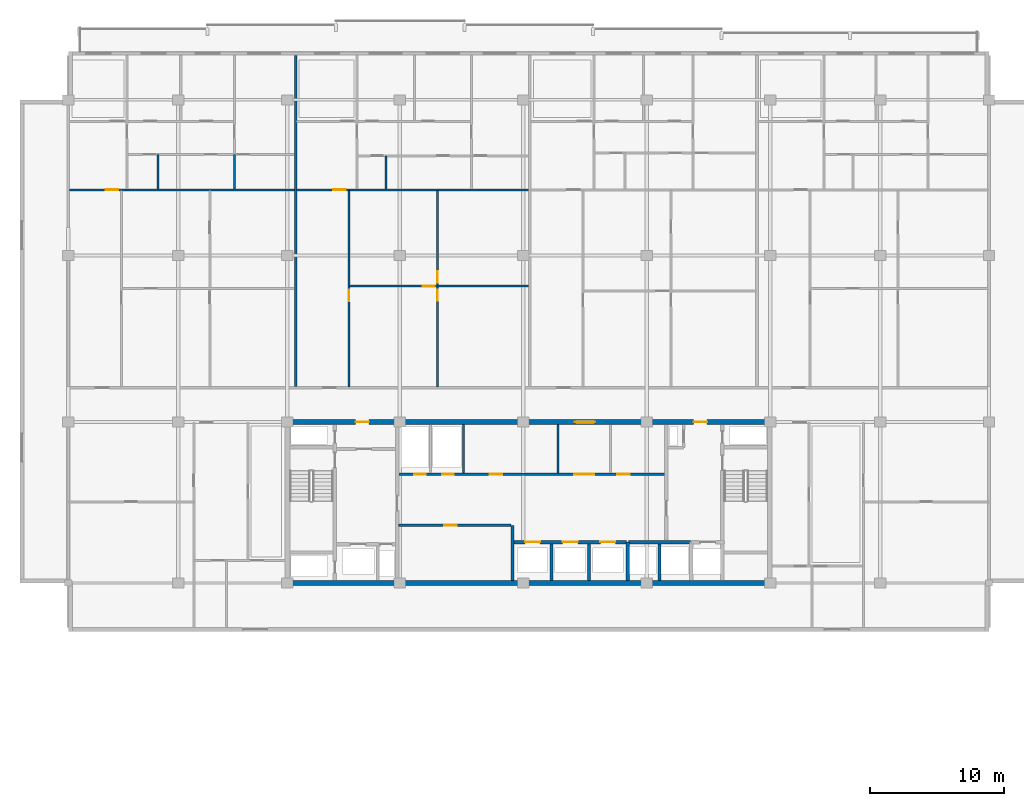
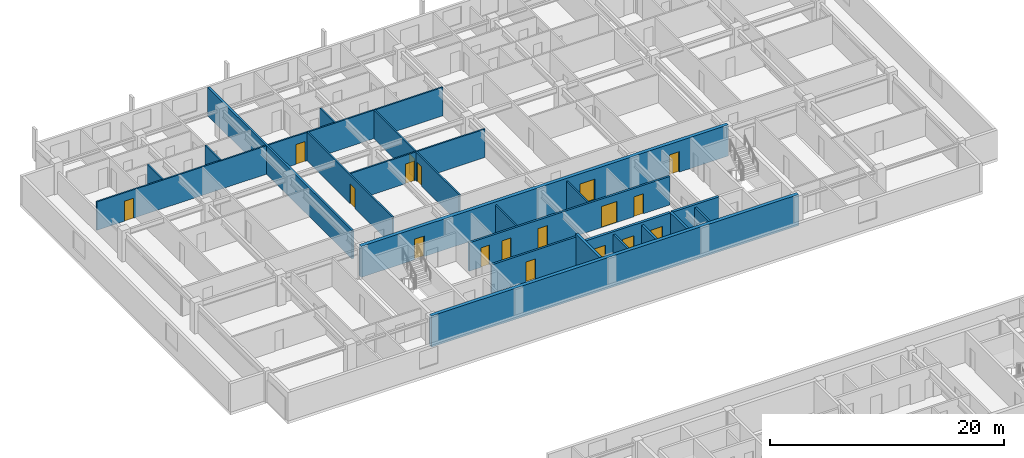
# One storey, part 12 of 24: 22 walls, 18 doors, 18 openings.
"""IFC4 building model written with IfcOpenShell, lengths in metres."""

from ifc_helpers import new_model, si_unit, direction, frame, frame_2d, origin, place, context, subcontext, project, spatial, rectangle, extrude, material, layer, layer_set, type_object, element, fill, save


model = new_model("IFC4")

# Units and contexts
model_context = context("Model", 3, precision=1e-05, world=origin(), true_north=direction((0.0, 1.0)))
body_context = subcontext(model_context, "Body", "Model", "MODEL_VIEW")
ifc_project = project(units=[si_unit("LENGTHUNIT", "METRE"), si_unit("AREAUNIT", "SQUARE_METRE"), si_unit("VOLUMEUNIT", "CUBIC_METRE"), si_unit("PLANEANGLEUNIT", "RADIAN"), si_unit("MASSUNIT", "GRAM", prefix="KILO")], contexts=[model_context])

# Site, building, storey
site_placement = place(None, origin())
site = spatial("IfcSite", under=ifc_project, at=site_placement, CompositionType="ELEMENT")
building_placement = place(site_placement, origin())
building = spatial("IfcBuilding", under=site, at=building_placement, Name="Korimba Cascade Residences", CompositionType="ELEMENT")
storey_placement = place(building_placement, frame((0.0, 0.0, 168.60009765625)))
storey = spatial("IfcBuildingStorey", under=building, at=storey_placement, Name="L48", CompositionType="ELEMENT", Elevation=168.60009765625)

# Wall
ifc_material_1 = material(Name="Concrete C65/80", Category="concrete")
ifc_layer_1 = layer(ifc_material_1, 0.35009765625)
ifc_layer_set_1 = layer_set([ifc_layer_1], Name="Concrete C65/80")
wall_type_1 = type_object("IfcWallType", Name="WAL-CORE-350", PredefinedType="SHEAR", material=ifc_layer_set_1)
wall_1_placement = place(storey_placement, frame((75.949951171875, 55.199951171875, 0.0), z_axis=(0.0, 0.0, 1.0), x_axis=(1.0, 0.0, 0.0)))
element("IfcWall", 1, at=wall_1_placement, inside=storey, type_object=wall_type_1, Name="L48 Core Shear Wall CW-L48-T1-S", PredefinedType="SHEAR", context=body_context, shape_type="SweptSolid", body=[
    extrude(rectangle(XDim=36.300048828125, YDim=0.35009765625, at=frame_2d((18.14990234375, 0.0))), origin(), (0.0, 0.0, 1.0), 3.25),
])

# Wall, openings, doors
wall_2_placement = place(storey_placement, frame((75.949951171875, 67.199951171875, 0.0), z_axis=(0.0, 0.0, 1.0), x_axis=(1.0, 0.0, 0.0)))
wall_2 = element("IfcWall", 2, at=wall_2_placement, inside=storey, type_object=wall_type_1, Name="L48 Core Shear Wall CW-L48-T1-N", PredefinedType="SHEAR", context=body_context, shape_type="SweptSolid", body=[
    extrude(rectangle(XDim=36.300048828125, YDim=0.35009765625, at=frame_2d((18.14990234375, 0.0))), origin(), (0.0, 0.0, 1.0), 3.25),
])
opening_1_placement = place(wall_2_placement, frame((5.25, 0.0, 0.0)))
opening_1 = element("IfcOpeningElement", 3, at=opening_1_placement, cuts=wall_2, Name="Opening D-FD5", PredefinedType="OPENING", context=body_context, shape_type="SweptSolid", body=[
    extrude(rectangle(XDim=1.0, YDim=2.14990234375, at=frame_2d((0.5, 1.074951171875))), frame((0.0, 0.18505859375, 0.0), z_axis=(0.0, -1.0, 0.0), x_axis=(1.0, 0.0, 0.0)), (0.0, 0.0, 1.0), 0.3701171875),
])
opening_2_placement = place(wall_2_placement, frame((21.60009765625, 0.0, 0.0)))
opening_2 = element("IfcOpeningElement", 4, at=opening_2_placement, cuts=wall_2, Name="Opening D-FD8", PredefinedType="OPENING", context=body_context, shape_type="SweptSolid", body=[
    extrude(rectangle(XDim=1.5, YDim=2.199951171875, at=frame_2d((0.75, 1.10009765625))), frame((0.0, 0.18505859375, 0.0), z_axis=(0.0, -1.0, 0.0), x_axis=(1.0, 0.0, 0.0)), (0.0, 0.0, 1.0), 0.3701171875),
])
opening_3_placement = place(wall_2_placement, frame((30.449951171875, 0.0, 0.0)))
opening_3 = element("IfcOpeningElement", 5, at=opening_3_placement, cuts=wall_2, Name="Opening D-FD5", PredefinedType="OPENING", context=body_context, shape_type="SweptSolid", body=[
    extrude(rectangle(XDim=1.0, YDim=2.14990234375, at=frame_2d((0.5, 1.074951171875))), frame((0.0, 0.18505859375, 0.0), z_axis=(0.0, -1.0, 0.0), x_axis=(1.0, 0.0, 0.0)), (0.0, 0.0, 1.0), 0.3701171875),
])
ifc_material_2 = material(Name="Fire-Rated Acoustic Timber Vestibule Door", Category="wood")
door_type_1 = type_object("IfcDoorType", Name="DR-FD90-1000", OperationType="NOTDEFINED", PredefinedType="DOOR", material=ifc_material_2)
door_1_placement = place(opening_1_placement, origin())
door_1 = element("IfcDoor", 6, at=door_1_placement, inside=storey, type_object=door_type_1, Name="L48 T1 West Core Vestibule Fire Door", OperationType="SINGLE_SWING_LEFT", OverallHeight=2.14990234375, OverallWidth=1.0, PredefinedType="DOOR", context=body_context, shape_type="SweptSolid", body=[
    extrude(rectangle(XDim=1.0, YDim=2.14990234375, at=frame_2d((0.5, 1.074951171875))), frame((0.0, 0.02490234375, 0.0), z_axis=(0.0, -1.0, 0.0), x_axis=(1.0, 0.0, 0.0)), (0.0, 0.0, 1.0), 0.050048828125),
])
fill(opening_1, door_1)
door_2_placement = place(opening_3_placement, origin())
door_2 = element("IfcDoor", 7, at=door_2_placement, inside=storey, type_object=door_type_1, Name="L48 T1 East Firefighting Vestibule Fire Door", OperationType="SINGLE_SWING_RIGHT", OverallHeight=2.14990234375, OverallWidth=1.0, PredefinedType="DOOR", context=body_context, shape_type="SweptSolid", body=[
    extrude(rectangle(XDim=1.0, YDim=2.14990234375, at=frame_2d((0.5, 1.074951171875))), frame((0.0, 0.02490234375, 0.0), z_axis=(0.0, -1.0, 0.0), x_axis=(1.0, 0.0, 0.0)), (0.0, 0.0, 1.0), 0.050048828125),
])
fill(opening_3, door_2)
ifc_material_3 = material(Name="Fire-Rated Glazed Lift Lobby Double Door", Category="glass")
door_type_2 = type_object("IfcDoorType", Name="DR-FD90-1500", OperationType="NOTDEFINED", PredefinedType="DOOR", material=ifc_material_3)
door_3_placement = place(opening_2_placement, origin())
door_3 = element("IfcDoor", 8, at=door_3_placement, inside=storey, type_object=door_type_2, Name="L48 T1 Lift Lobby Fire Door", OperationType="DOUBLE_DOOR_SINGLE_SWING", OverallHeight=2.199951171875, OverallWidth=1.5, PredefinedType="DOOR", context=body_context, shape_type="SweptSolid", body=[
    extrude(rectangle(XDim=1.5, YDim=2.199951171875, at=frame_2d((0.75, 1.10009765625))), frame((0.0, 0.02490234375, 0.0), z_axis=(0.0, -1.0, 0.0), x_axis=(1.0, 0.0, 0.0)), (0.0, 0.0, 1.0), 0.050048828125),
])
fill(opening_2, door_3)

# Walls
ifc_material_4 = material(Name="Precast concrete C40/50", Category="concrete")
ifc_layer_2 = layer(ifc_material_4, 0.199951171875)
ifc_layer_set_2 = layer_set([ifc_layer_2], Name="Precast concrete C40/50")
wall_type_2 = type_object("IfcWallType", Name="WAL-IT-200", PredefinedType="PARTITIONING", material=ifc_layer_set_2)
wall_3_placement = place(storey_placement, frame((76.735107421875, 69.830078125, 0.0), z_axis=(0.0, 0.0, 1.0), x_axis=(0.0, 1.0, 0.0)))
element("IfcWall", 9, at=wall_3_placement, inside=storey, type_object=wall_type_2, Name="L48 Partition Wall WAL-L48-T1-DEM-1", PredefinedType="PARTITIONING", context=body_context, shape_type="SweptSolid", body=[
    extrude(rectangle(XDim=24.669921875, YDim=0.199951171875, at=frame_2d((12.3349609375, 0.0))), origin(), (0.0, 0.0, 1.0), 2.969970703125),
])
ifc_material_5 = material(Name="Insulated Acoustic Stud Partition", Category="gypsum")
ifc_layer_3 = layer(ifc_material_5, 0.14990234375)
ifc_layer_set_3 = layer_set([ifc_layer_3], Name="Insulated Acoustic Stud Partition")
wall_type_3 = type_object("IfcWallType", Name="WAL-PART-150", PredefinedType="PARTITIONING", material=ifc_layer_set_3)
for number, where, z_axis, x_axis, name in (
    (10, (89.25, 63.39990234375, 0.0), (0.0, 0.0, 1.0), (0.0, 1.0, 0.0), "L48 Partition Wall CW-L48-T1-PRDIV"),
    (11, (96.300048828125, 63.39990234375, 0.0), (0.0, 0.0, 1.0), (0.0, 1.0, 0.0), "L48 Partition Wall CW-L48-T1-THW"),
):
    element("IfcWall", number, at=place(storey_placement, frame(where, z_axis=z_axis, x_axis=x_axis)), inside=storey, type_object=wall_type_3, Name=name, PredefinedType="PARTITIONING", context=body_context, shape_type="SweptSolid", body=[
        extrude(rectangle(XDim=3.60009765625, YDim=0.14990234375, at=frame_2d((1.800048828125, 0.0))), origin(), (0.0, 0.0, 1.0), 2.969970703125),
    ])
for number, where, z_axis, x_axis, name in (
    (12, (66.47998046875, 84.5400390625, 0.0), (0.0, 0.0, 1.0), (0.0, 1.0, 0.0), "L48 Partition Wall WAL-L48-T1-U01-VDRS"),
    (13, (72.18505859375, 84.5400390625, 0.0), (0.0, 0.0, 1.0), (0.0, 1.0, 0.0), "L48 Partition Wall WAL-L48-T1-U01-VBATH"),
):
    element("IfcWall", number, at=place(storey_placement, frame(where, z_axis=z_axis, x_axis=x_axis)), inside=storey, type_object=wall_type_3, Name=name, PredefinedType="PARTITIONING", context=body_context, shape_type="SweptSolid", body=[
        extrude(rectangle(XDim=2.580078125, YDim=0.14990234375, at=frame_2d((1.2900390625, 0.0))), origin(), (0.0, 0.0, 1.0), 2.969970703125),
    ])

# Wall, opening, door
wall_4_placement = place(storey_placement, frame((59.8798828125, 84.5, 0.0), z_axis=(0.0, 0.0, 1.0), x_axis=(1.0, 0.0, 0.0)))
wall_4 = element("IfcWall", 14, at=wall_4_placement, inside=storey, type_object=wall_type_3, Name="L48 Partition Wall WAL-L48-T1-U01-MW", PredefinedType="PARTITIONING", context=body_context, shape_type="SweptSolid", body=[
    extrude(rectangle(XDim=16.775146484375, YDim=0.14990234375, at=frame_2d((8.3876953125, 0.0))), origin(), (0.0, 0.0, 1.0), 2.969970703125),
])
opening_4_placement = place(wall_4_placement, frame((2.719970703125, 0.0, 0.0)))
opening_4 = element("IfcOpeningElement", 15, at=opening_4_placement, cuts=wall_4, Name="Opening D-IN1", PredefinedType="OPENING", context=body_context, shape_type="SweptSolid", body=[
    extrude(rectangle(XDim=0.919921875, YDim=2.080078125, at=frame_2d((0.4599609375, 1.0400390625))), frame((0.0, 0.0849609375, 0.0), z_axis=(0.0, -1.0, 0.0), x_axis=(1.0, 0.0, 0.0)), (0.0, 0.0, 1.0), 0.169921875),
])
ifc_material_6 = material(Name="Acoustic Timber Living Door", Category="wood")
door_type_3 = type_object("IfcDoorType", Name="DR-INT-920", OperationType="NOTDEFINED", PredefinedType="DOOR", material=ifc_material_6)
door_4_placement = place(opening_4_placement, origin())
door_4 = element("IfcDoor", 16, at=door_4_placement, inside=storey, type_object=door_type_3, Name="L48-T1-U01 Kitchen Door", OperationType="SINGLE_SWING_LEFT", OverallHeight=2.080078125, OverallWidth=0.919921875, PredefinedType="DOOR", context=body_context, shape_type="SweptSolid", body=[
    extrude(rectangle(XDim=0.919921875, YDim=2.080078125, at=frame_2d((0.4599609375, 1.0400390625))), frame((0.0, 0.02490234375, 0.0), z_axis=(0.0, -1.0, 0.0), x_axis=(1.0, 0.0, 0.0)), (0.0, 0.0, 1.0), 0.050048828125),
])
fill(opening_4, door_4)

# Wall, openings, doors
wall_5_placement = place(storey_placement, frame((87.31005859375, 69.81005859375, 0.0), z_axis=(0.0, 0.0, 1.0), x_axis=(0.0, 1.0, 0.0)))
wall_5 = element("IfcWall", 17, at=wall_5_placement, inside=storey, type_object=wall_type_3, Name="L48 Partition Wall WAL-L48-T1-U02-FMV", PredefinedType="PARTITIONING", context=body_context, shape_type="SweptSolid", body=[
    extrude(rectangle(XDim=14.64990234375, YDim=0.14990234375, at=frame_2d((7.324951171875, 0.0))), origin(), (0.0, 0.0, 1.0), 2.969970703125),
])
opening_5_placement = place(wall_5_placement, frame((6.4150390625, 0.0, 0.0)))
opening_5 = element("IfcOpeningElement", 18, at=opening_5_placement, cuts=wall_5, Name="Opening D-BT1", PredefinedType="OPENING", context=body_context, shape_type="SweptSolid", body=[
    extrude(rectangle(XDim=0.840087890625, YDim=2.0400390625, at=frame_2d((0.419921875, 1.02001953125))), frame((0.0, 0.0849609375, 0.0), z_axis=(0.0, -1.0, 0.0), x_axis=(1.0, 0.0, 0.0)), (0.0, 0.0, 1.0), 0.169921875),
])
opening_6_placement = place(wall_5_placement, frame((7.7548828125, 0.0, 0.0)))
opening_6 = element("IfcOpeningElement", 19, at=opening_6_placement, cuts=wall_5, Name="Opening D-IN2", PredefinedType="OPENING", context=body_context, shape_type="SweptSolid", body=[
    extrude(rectangle(XDim=0.8798828125, YDim=2.06005859375, at=frame_2d((0.43994140625, 1.030029296875))), frame((0.0, 0.0849609375, 0.0), z_axis=(0.0, -1.0, 0.0), x_axis=(1.0, 0.0, 0.0)), (0.0, 0.0, 1.0), 0.169921875),
])
ifc_material_7 = material(Name="Moisture-Resistant Bathroom Timber Door", Category="wood")
door_type_4 = type_object("IfcDoorType", Name="DR-INT-850", OperationType="NOTDEFINED", PredefinedType="DOOR", material=ifc_material_7)
door_5_placement = place(opening_5_placement, origin())
door_5 = element("IfcDoor", 20, at=door_5_placement, inside=storey, type_object=door_type_4, Name="L48-T1-U02 Wardrobe Door", OperationType="SINGLE_SWING_LEFT", OverallHeight=2.0400390625, OverallWidth=0.840087890625, PredefinedType="DOOR", context=body_context, shape_type="SweptSolid", body=[
    extrude(rectangle(XDim=0.840087890625, YDim=2.0400390625, at=frame_2d((0.419921875, 1.02001953125))), frame((0.0, 0.02490234375, 0.0), z_axis=(0.0, -1.0, 0.0), x_axis=(1.0, 0.0, 0.0)), (0.0, 0.0, 1.0), 0.050048828125),
])
fill(opening_5, door_5)
ifc_material_8 = material(Name="Acoustic Timber Bedroom Door", Category="wood")
door_type_5 = type_object("IfcDoorType", Name="DR-INT-880", OperationType="NOTDEFINED", PredefinedType="DOOR", material=ifc_material_8)
door_6_placement = place(opening_6_placement, origin())
door_6 = element("IfcDoor", 21, at=door_6_placement, inside=storey, type_object=door_type_5, Name="L48-T1-U02 Music Lounge Door", OperationType="SINGLE_SWING_RIGHT", OverallHeight=2.06005859375, OverallWidth=0.8798828125, PredefinedType="DOOR", context=body_context, shape_type="SweptSolid", body=[
    extrude(rectangle(XDim=0.8798828125, YDim=2.06005859375, at=frame_2d((0.43994140625, 1.030029296875))), frame((0.0, 0.02490234375, 0.0), z_axis=(0.0, -1.0, 0.0), x_axis=(1.0, 0.0, 0.0)), (0.0, 0.0, 1.0), 0.050048828125),
])
fill(opening_6, door_6)

# Wall, opening, door
wall_6_placement = place(storey_placement, frame((80.76513671875, 77.31494140625, 0.0), z_axis=(0.0, 0.0, 1.0), x_axis=(1.0, 0.0, 0.0)))
wall_6 = element("IfcWall", 22, at=wall_6_placement, inside=storey, type_object=wall_type_3, Name="L48 Partition Wall WAL-L48-T1-U02-FMH", PredefinedType="PARTITIONING", context=body_context, shape_type="SweptSolid", body=[
    extrude(rectangle(XDim=13.329833984375, YDim=0.14990234375, at=frame_2d((6.6650390625, 0.0))), origin(), (0.0, 0.0, 1.0), 2.969970703125),
])
opening_7_placement = place(wall_6_placement, frame((5.445068359375, 0.0, 0.0)))
opening_7 = element("IfcOpeningElement", 23, at=opening_7_placement, cuts=wall_6, Name="Opening D-IN2", PredefinedType="OPENING", context=body_context, shape_type="SweptSolid", body=[
    extrude(rectangle(XDim=0.8798828125, YDim=2.06005859375, at=frame_2d((0.43994140625, 1.030029296875))), frame((0.0, 0.0849609375, 0.0), z_axis=(0.0, -1.0, 0.0), x_axis=(1.0, 0.0, 0.0)), (0.0, 0.0, 1.0), 0.169921875),
])
door_7_placement = place(opening_7_placement, origin())
door_7 = element("IfcDoor", 24, at=door_7_placement, inside=storey, type_object=door_type_5, Name="L48-T1-U02 Library Salon Door", OperationType="SINGLE_SWING_LEFT", OverallHeight=2.06005859375, OverallWidth=0.8798828125, PredefinedType="DOOR", context=body_context, shape_type="SweptSolid", body=[
    extrude(rectangle(XDim=0.8798828125, YDim=2.06005859375, at=frame_2d((0.43994140625, 1.030029296875))), frame((0.0, 0.02490234375, 0.0), z_axis=(0.0, -1.0, 0.0), x_axis=(1.0, 0.0, 0.0)), (0.0, 0.0, 1.0), 0.050048828125),
])
fill(opening_7, door_7)

wall_7_placement = place(storey_placement, frame((80.705078125, 69.81005859375, 0.0), z_axis=(0.0, 0.0, 1.0), x_axis=(0.0, 1.0, 0.0)))
wall_7 = element("IfcWall", 25, at=wall_7_placement, inside=storey, type_object=wall_type_3, Name="L48 Partition Wall WAL-L48-T1-U02-FV", PredefinedType="PARTITIONING", context=body_context, shape_type="SweptSolid", body=[
    extrude(rectangle(XDim=14.64990234375, YDim=0.14990234375, at=frame_2d((7.324951171875, 0.0))), origin(), (0.0, 0.0, 1.0), 2.969970703125),
])
opening_8_placement = place(wall_7_placement, frame((6.375, 0.0, 0.0)))
opening_8 = element("IfcOpeningElement", 26, at=opening_8_placement, cuts=wall_7, Name="Opening D-IN2", PredefinedType="OPENING", context=body_context, shape_type="SweptSolid", body=[
    extrude(rectangle(XDim=0.8798828125, YDim=2.06005859375, at=frame_2d((0.43994140625, 1.030029296875))), frame((0.0, 0.0849609375, 0.0), z_axis=(0.0, -1.0, 0.0), x_axis=(1.0, 0.0, 0.0)), (0.0, 0.0, 1.0), 0.169921875),
])
door_8_placement = place(opening_8_placement, origin())
door_8 = element("IfcDoor", 27, at=door_8_placement, inside=storey, type_object=door_type_5, Name="L48-T1-U02 Media Lounge Door", OperationType="SINGLE_SWING_RIGHT", OverallHeight=2.06005859375, OverallWidth=0.8798828125, PredefinedType="DOOR", context=body_context, shape_type="SweptSolid", body=[
    extrude(rectangle(XDim=0.8798828125, YDim=2.06005859375, at=frame_2d((0.43994140625, 1.030029296875))), frame((0.0, 0.02490234375, 0.0), z_axis=(0.0, -1.0, 0.0), x_axis=(1.0, 0.0, 0.0)), (0.0, 0.0, 1.0), 0.050048828125),
])
fill(opening_8, door_8)

# Wall
wall_8_placement = place(storey_placement, frame((83.465087890625, 84.5400390625, 0.0), z_axis=(0.0, 0.0, 1.0), x_axis=(0.0, 1.0, 0.0)))
element("IfcWall", 28, at=wall_8_placement, inside=storey, type_object=wall_type_3, Name="L48 Partition Wall WAL-L48-T1-U02-VDRS", PredefinedType="PARTITIONING", context=body_context, shape_type="SweptSolid", body=[
    extrude(rectangle(XDim=2.469970703125, YDim=0.14990234375, at=frame_2d((1.23486328125, 0.0))), origin(), (0.0, 0.0, 1.0), 2.969970703125),
])

# Wall, opening, door
wall_9_placement = place(storey_placement, frame((76.815185546875, 84.5, 0.0), z_axis=(0.0, 0.0, 1.0), x_axis=(1.0, 0.0, 0.0)))
wall_9 = element("IfcWall", 29, at=wall_9_placement, inside=storey, type_object=wall_type_3, Name="L48 Partition Wall WAL-L48-T1-U02-MW", PredefinedType="PARTITIONING", context=body_context, shape_type="SweptSolid", body=[
    extrude(rectangle(XDim=17.27978515625, YDim=0.14990234375, at=frame_2d((8.639892578125, 0.0))), origin(), (0.0, 0.0, 1.0), 2.969970703125),
])
opening_9_placement = place(wall_9_placement, frame((2.719970703125, 0.0, 0.0)))
opening_9 = element("IfcOpeningElement", 30, at=opening_9_placement, cuts=wall_9, Name="Opening D-IN1", PredefinedType="OPENING", context=body_context, shape_type="SweptSolid", body=[
    extrude(rectangle(XDim=0.919921875, YDim=2.080078125, at=frame_2d((0.4599609375, 1.0400390625))), frame((0.0, 0.0849609375, 0.0), z_axis=(0.0, -1.0, 0.0), x_axis=(1.0, 0.0, 0.0)), (0.0, 0.0, 1.0), 0.169921875),
])
door_9_placement = place(opening_9_placement, origin())
door_9 = element("IfcDoor", 31, at=door_9_placement, inside=storey, type_object=door_type_3, Name="L48-T1-U02 Kitchen Door", OperationType="SINGLE_SWING_RIGHT", OverallHeight=2.080078125, OverallWidth=0.919921875, PredefinedType="DOOR", context=body_context, shape_type="SweptSolid", body=[
    extrude(rectangle(XDim=0.919921875, YDim=2.080078125, at=frame_2d((0.4599609375, 1.0400390625))), frame((0.0, 0.02490234375, 0.0), z_axis=(0.0, -1.0, 0.0), x_axis=(1.0, 0.0, 0.0)), (0.0, 0.0, 1.0), 0.050048828125),
])
fill(opening_9, door_9)

ifc_material_9 = material(Name="Concrete C40/50", Category="concrete")
ifc_layer_4 = layer(ifc_material_9, 0.199951171875)
ifc_layer_set_4 = layer_set([ifc_layer_4], Name="Concrete C40/50")
wall_type_4 = type_object("IfcWallType", Name="WAL-PART-200", PredefinedType="PARTITIONING", material=ifc_layer_set_4)
wall_10_placement = place(storey_placement, frame((84.419921875, 59.5, 0.0), z_axis=(0.0, 0.0, 1.0), x_axis=(1.0, 0.0, 0.0)))
wall_10 = element("IfcWall", 32, at=wall_10_placement, inside=storey, type_object=wall_type_4, Name="L48 Partition Wall CW-L48-T1-B1RN", PredefinedType="PARTITIONING", context=body_context, shape_type="SweptSolid", body=[
    extrude(rectangle(XDim=8.360107421875, YDim=0.199951171875, at=frame_2d((4.18017578125, 0.0))), origin(), (0.0, 0.0, 1.0), 2.969970703125),
])
opening_10_placement = place(wall_10_placement, frame((3.39990234375, 0.0, 0.0)))
opening_10 = element("IfcOpeningElement", 33, at=opening_10_placement, cuts=wall_10, Name="Opening D-ST1", PredefinedType="OPENING", context=body_context, shape_type="SweptSolid", body=[
    extrude(rectangle(XDim=0.919921875, YDim=2.080078125, at=frame_2d((0.4599609375, 1.0400390625))), frame((0.0, 0.10986328125, 0.0), z_axis=(0.0, -1.0, 0.0), x_axis=(1.0, 0.0, 0.0)), (0.0, 0.0, 1.0), 0.219970703125),
])
ifc_material_10 = material(Name="Fire-Rated Core Store Door", Category="wood")
door_type_6 = type_object("IfcDoorType", Name="DR-FD60-920", OperationType="NOTDEFINED", PredefinedType="DOOR", material=ifc_material_10)
door_10_placement = place(opening_10_placement, origin())
door_10 = element("IfcDoor", 34, at=door_10_placement, inside=storey, type_object=door_type_6, Name="L48 Resident Storage Door", OperationType="SINGLE_SWING_LEFT", OverallHeight=2.080078125, OverallWidth=0.919921875, PredefinedType="DOOR", context=body_context, shape_type="SweptSolid", body=[
    extrude(rectangle(XDim=0.919921875, YDim=2.080078125, at=frame_2d((0.4599609375, 1.0400390625))), frame((0.0, 0.02490234375, 0.0), z_axis=(0.0, -1.0, 0.0), x_axis=(1.0, 0.0, 0.0)), (0.0, 0.0, 1.0), 0.050048828125),
])
fill(opening_10, door_10)

# Walls
for number, where, z_axis, x_axis, name in (
    (35, (95.800048828125, 55.39990234375, 0.0), (0.0, 0.0, 1.0), (0.0, 1.0, 0.0), "L48 Partition Wall CW-L48-T1-B2D1"),
    (36, (98.60009765625, 55.39990234375, 0.0), (0.0, 0.0, 1.0), (0.0, 1.0, 0.0), "L48 Partition Wall CW-L48-T1-B2D2"),
    (37, (103.85009765625, 55.39990234375, 0.0), (0.0, 0.0, 1.0), (0.0, 1.0, 0.0), "L48 Partition Wall CW-L48-T1-B3D1"),
):
    element("IfcWall", number, at=place(storey_placement, frame(where, z_axis=z_axis, x_axis=x_axis)), inside=storey, type_object=wall_type_4, Name=name, PredefinedType="PARTITIONING", context=body_context, shape_type="SweptSolid", body=[
        extrude(rectangle(XDim=2.72021484375, YDim=0.199951171875, at=frame_2d((1.360107421875, 0.0))), origin(), (0.0, 0.0, 1.0), 2.969970703125),
    ])

# Wall, openings, doors
wall_11_placement = place(storey_placement, frame((84.419921875, 63.300048828125, 0.0), z_axis=(0.0, 0.0, 1.0), x_axis=(1.0, 0.0, 0.0)))
wall_11 = element("IfcWall", 38, at=wall_11_placement, inside=storey, type_object=wall_type_4, Name="L48 Partition Wall CW-L48-T1-SRVROW", PredefinedType="PARTITIONING", context=body_context, shape_type="SweptSolid", body=[
    extrude(rectangle(XDim=19.830078125, YDim=0.199951171875, at=frame_2d((9.9150390625, 0.0))), origin(), (0.0, 0.0, 1.0), 2.969970703125),
])
opening_11_placement = place(wall_11_placement, frame((1.14990234375, 0.0, 0.0)))
opening_11 = element("IfcOpeningElement", 39, at=opening_11_placement, cuts=wall_11, Name="Opening D-RS1", PredefinedType="OPENING", context=body_context, shape_type="SweptSolid", body=[
    extrude(rectangle(XDim=0.85009765625, YDim=2.050048828125, at=frame_2d((0.425048828125, 1.02490234375))), frame((0.0, 0.10986328125, 0.0), z_axis=(0.0, -1.0, 0.0), x_axis=(1.0, 0.0, 0.0)), (0.0, 0.0, 1.0), 0.219970703125),
])
opening_12_placement = place(wall_11_placement, frame((3.25, 0.0, 0.0)))
opening_12 = element("IfcOpeningElement", 40, at=opening_12_placement, cuts=wall_11, Name="Opening D-RS1", PredefinedType="OPENING", context=body_context, shape_type="SweptSolid", body=[
    extrude(rectangle(XDim=0.85009765625, YDim=2.050048828125, at=frame_2d((0.425048828125, 1.02490234375))), frame((0.0, 0.10986328125, 0.0), z_axis=(0.0, -1.0, 0.0), x_axis=(1.0, 0.0, 0.0)), (0.0, 0.0, 1.0), 0.219970703125),
])
opening_13_placement = place(wall_11_placement, frame((13.080078125, 0.0, 0.0)))
opening_13 = element("IfcOpeningElement", 41, at=opening_13_placement, cuts=wall_11, Name="Opening D-FD8", PredefinedType="OPENING", context=body_context, shape_type="SweptSolid", body=[
    extrude(rectangle(XDim=1.5, YDim=2.199951171875, at=frame_2d((0.75, 1.10009765625))), frame((0.0, 0.10986328125, 0.0), z_axis=(0.0, -1.0, 0.0), x_axis=(1.0, 0.0, 0.0)), (0.0, 0.0, 1.0), 0.219970703125),
])
opening_14_placement = place(wall_11_placement, frame((6.780029296875, 0.0, 0.0)))
opening_14 = element("IfcOpeningElement", 42, at=opening_14_placement, cuts=wall_11, Name="Opening D-IN1", PredefinedType="OPENING", context=body_context, shape_type="SweptSolid", body=[
    extrude(rectangle(XDim=0.919921875, YDim=2.080078125, at=frame_2d((0.4599609375, 1.0400390625))), frame((0.0, 0.10986328125, 0.0), z_axis=(0.0, -1.0, 0.0), x_axis=(1.0, 0.0, 0.0)), (0.0, 0.0, 1.0), 0.219970703125),
])
opening_15_placement = place(wall_11_placement, frame((16.280029296875, 0.0, 0.0)))
opening_15 = element("IfcOpeningElement", 43, at=opening_15_placement, cuts=wall_11, Name="Opening D-IN1", PredefinedType="OPENING", context=body_context, shape_type="SweptSolid", body=[
    extrude(rectangle(XDim=0.919921875, YDim=2.080078125, at=frame_2d((0.4599609375, 1.0400390625))), frame((0.0, 0.10986328125, 0.0), z_axis=(0.0, -1.0, 0.0), x_axis=(1.0, 0.0, 0.0)), (0.0, 0.0, 1.0), 0.219970703125),
])
ifc_material_11 = material(Name="Fire-Rated Steel Riser Access Door", Category="steel")
door_type_7 = type_object("IfcDoorType", Name="DR-FD60-850", OperationType="NOTDEFINED", PredefinedType="DOOR", material=ifc_material_11)
door_11_placement = place(opening_11_placement, origin())
door_11 = element("IfcDoor", 44, at=door_11_placement, inside=storey, type_object=door_type_7, Name="L48 Electrical Riser Door", OperationType="SINGLE_SWING_RIGHT", OverallHeight=2.050048828125, OverallWidth=0.85009765625, PredefinedType="DOOR", context=body_context, shape_type="SweptSolid", body=[
    extrude(rectangle(XDim=0.85009765625, YDim=2.050048828125, at=frame_2d((0.425048828125, 1.02490234375))), frame((0.0, 0.02490234375, 0.0), z_axis=(0.0, -1.0, 0.0), x_axis=(1.0, 0.0, 0.0)), (0.0, 0.0, 1.0), 0.050048828125),
])
fill(opening_11, door_11)
door_12_placement = place(opening_12_placement, origin())
door_12 = element("IfcDoor", 45, at=door_12_placement, inside=storey, type_object=door_type_7, Name="L48 Plumbing Riser Door", OperationType="SINGLE_SWING_LEFT", OverallHeight=2.050048828125, OverallWidth=0.85009765625, PredefinedType="DOOR", context=body_context, shape_type="SweptSolid", body=[
    extrude(rectangle(XDim=0.85009765625, YDim=2.050048828125, at=frame_2d((0.425048828125, 1.02490234375))), frame((0.0, 0.02490234375, 0.0), z_axis=(0.0, -1.0, 0.0), x_axis=(1.0, 0.0, 0.0)), (0.0, 0.0, 1.0), 0.050048828125),
])
fill(opening_12, door_12)
door_13_placement = place(opening_13_placement, origin())
door_13 = element("IfcDoor", 46, at=door_13_placement, inside=storey, type_object=door_type_2, Name="L48 Lift Lobby Foyer Archway Door", OperationType="DOUBLE_DOOR_SINGLE_SWING", OverallHeight=2.199951171875, OverallWidth=1.5, PredefinedType="DOOR", context=body_context, shape_type="SweptSolid", body=[
    extrude(rectangle(XDim=1.5, YDim=2.199951171875, at=frame_2d((0.75, 1.10009765625))), frame((0.0, 0.02490234375, 0.0), z_axis=(0.0, -1.0, 0.0), x_axis=(1.0, 0.0, 0.0)), (0.0, 0.0, 1.0), 0.050048828125),
])
fill(opening_13, door_13)
door_14_placement = place(opening_14_placement, origin())
door_14 = element("IfcDoor", 47, at=door_14_placement, inside=storey, type_object=door_type_3, Name="L48 Housekeeping Door", OperationType="SINGLE_SWING_RIGHT", OverallHeight=2.080078125, OverallWidth=0.919921875, PredefinedType="DOOR", context=body_context, shape_type="SweptSolid", body=[
    extrude(rectangle(XDim=0.919921875, YDim=2.080078125, at=frame_2d((0.4599609375, 1.0400390625))), frame((0.0, 0.02490234375, 0.0), z_axis=(0.0, -1.0, 0.0), x_axis=(1.0, 0.0, 0.0)), (0.0, 0.0, 1.0), 0.050048828125),
])
fill(opening_14, door_14)
door_15_placement = place(opening_15_placement, origin())
door_15 = element("IfcDoor", 48, at=door_15_placement, inside=storey, type_object=door_type_3, Name="L48 Store Door", OperationType="SINGLE_SWING_LEFT", OverallHeight=2.080078125, OverallWidth=0.919921875, PredefinedType="DOOR", context=body_context, shape_type="SweptSolid", body=[
    extrude(rectangle(XDim=0.919921875, YDim=2.080078125, at=frame_2d((0.4599609375, 1.0400390625))), frame((0.0, 0.02490234375, 0.0), z_axis=(0.0, -1.0, 0.0), x_axis=(1.0, 0.0, 0.0)), (0.0, 0.0, 1.0), 0.050048828125),
])
fill(opening_15, door_15)

# Wall
ifc_material_12 = material(Name="Concrete C50/60", Category="concrete")
ifc_layer_5 = layer(ifc_material_12, 0.25)
ifc_layer_set_5 = layer_set([ifc_layer_5], Name="Concrete C50/60")
wall_type_5 = type_object("IfcWallType", Name="WAL-SHAFT-250", PredefinedType="SHEAR", material=ifc_layer_set_5)
wall_12_placement = place(storey_placement, frame((92.89990234375, 55.39990234375, 0.0), z_axis=(0.0, 0.0, 1.0), x_axis=(0.0, 1.0, 0.0)))
element("IfcWall", 49, at=wall_12_placement, inside=storey, type_object=wall_type_5, Name="L48 Core Shear Wall CW-L48-T1-B12DIV", PredefinedType="SHEAR", context=body_context, shape_type="SweptSolid", body=[
    extrude(rectangle(XDim=4.10009765625, YDim=0.25, at=frame_2d((2.050048828125, 0.0))), origin(), (0.0, 0.0, 1.0), 3.25),
])

# Wall, openings, doors
wall_13_placement = place(storey_placement, frame((93.02001953125, 58.25, 0.0), z_axis=(0.0, 0.0, 1.0), x_axis=(1.0, 0.0, 0.0)))
wall_13 = element("IfcWall", 50, at=wall_13_placement, inside=storey, type_object=wall_type_5, Name="L48 Core Shear Wall CW-L48-T1-B2N", PredefinedType="SHEAR", context=body_context, shape_type="SweptSolid", body=[
    extrude(rectangle(XDim=8.35986328125, YDim=0.25, at=frame_2d((4.179931640625, 0.0))), origin(), (0.0, 0.0, 1.0), 3.25),
])
opening_16_placement = place(wall_13_placement, frame((0.820068359375, 0.0, 0.0)))
opening_16 = element("IfcOpeningElement", 51, at=opening_16_placement, cuts=wall_13, Name="Opening LD-01", PredefinedType="OPENING", context=body_context, shape_type="SweptSolid", body=[
    extrude(rectangle(XDim=1.1201171875, YDim=2.1201171875, at=frame_2d((0.56005859375, 1.06005859375))), frame((0.0, 0.135009765625, 0.0), z_axis=(0.0, -1.0, 0.0), x_axis=(1.0, 0.0, 0.0)), (0.0, 0.0, 1.0), 0.27001953125),
])
opening_17_placement = place(wall_13_placement, frame((3.6201171875, 0.0, 0.0)))
opening_17 = element("IfcOpeningElement", 52, at=opening_17_placement, cuts=wall_13, Name="Opening LD-01", PredefinedType="OPENING", context=body_context, shape_type="SweptSolid", body=[
    extrude(rectangle(XDim=1.1201171875, YDim=2.1201171875, at=frame_2d((0.56005859375, 1.06005859375))), frame((0.0, 0.135009765625, 0.0), z_axis=(0.0, -1.0, 0.0), x_axis=(1.0, 0.0, 0.0)), (0.0, 0.0, 1.0), 0.27001953125),
])
opening_18_placement = place(wall_13_placement, frame((6.419921875, 0.0, 0.0)))
opening_18 = element("IfcOpeningElement", 53, at=opening_18_placement, cuts=wall_13, Name="Opening LD-01", PredefinedType="OPENING", context=body_context, shape_type="SweptSolid", body=[
    extrude(rectangle(XDim=1.1201171875, YDim=2.1201171875, at=frame_2d((0.56005859375, 1.06005859375))), frame((0.0, 0.135009765625, 0.0), z_axis=(0.0, -1.0, 0.0), x_axis=(1.0, 0.0, 0.0)), (0.0, 0.0, 1.0), 0.27001953125),
])
ifc_material_13 = material(Name="Stainless Steel Lift Landing Sliding Door", Category="steel")
door_type_8 = type_object("IfcDoorType", Name="DR-LIFT-1100", OperationType="NOTDEFINED", PredefinedType="DOOR", material=ifc_material_13)
door_16_placement = place(opening_16_placement, origin())
door_16 = element("IfcDoor", 54, at=door_16_placement, inside=storey, type_object=door_type_8, Name="L48 Lift Landing Door PL-W4", OperationType="SLIDING_TO_RIGHT", OverallHeight=2.1201171875, OverallWidth=1.1201171875, PredefinedType="DOOR", context=body_context, shape_type="SweptSolid", body=[
    extrude(rectangle(XDim=1.1201171875, YDim=2.1201171875, at=frame_2d((0.56005859375, 1.06005859375))), frame((0.0, 0.02490234375, 0.0), z_axis=(0.0, -1.0, 0.0), x_axis=(1.0, 0.0, 0.0)), (0.0, 0.0, 1.0), 0.050048828125),
])
fill(opening_16, door_16)
door_17_placement = place(opening_17_placement, origin())
door_17 = element("IfcDoor", 55, at=door_17_placement, inside=storey, type_object=door_type_8, Name="L48 Lift Landing Door PL-W5", OperationType="SLIDING_TO_RIGHT", OverallHeight=2.1201171875, OverallWidth=1.1201171875, PredefinedType="DOOR", context=body_context, shape_type="SweptSolid", body=[
    extrude(rectangle(XDim=1.1201171875, YDim=2.1201171875, at=frame_2d((0.56005859375, 1.06005859375))), frame((0.0, 0.02490234375, 0.0), z_axis=(0.0, -1.0, 0.0), x_axis=(1.0, 0.0, 0.0)), (0.0, 0.0, 1.0), 0.050048828125),
])
fill(opening_17, door_17)
door_18_placement = place(opening_18_placement, origin())
door_18 = element("IfcDoor", 56, at=door_18_placement, inside=storey, type_object=door_type_8, Name="L48 Lift Landing Door PL-W6", OperationType="SLIDING_TO_RIGHT", OverallHeight=2.1201171875, OverallWidth=1.1201171875, PredefinedType="DOOR", context=body_context, shape_type="SweptSolid", body=[
    extrude(rectangle(XDim=1.1201171875, YDim=2.1201171875, at=frame_2d((0.56005859375, 1.06005859375))), frame((0.0, 0.02490234375, 0.0), z_axis=(0.0, -1.0, 0.0), x_axis=(1.0, 0.0, 0.0)), (0.0, 0.0, 1.0), 0.050048828125),
])
fill(opening_18, door_18)

# Walls
wall_14_placement = place(storey_placement, frame((101.47998046875, 55.39990234375, 0.0), z_axis=(0.0, 0.0, 1.0), x_axis=(0.0, 1.0, 0.0)))
element("IfcWall", 57, at=wall_14_placement, inside=storey, type_object=wall_type_5, Name="L48 Core Shear Wall CW-L48-T1-B23DIV", PredefinedType="SHEAR", context=body_context, shape_type="SweptSolid", body=[
    extrude(rectangle(XDim=2.85009765625, YDim=0.25, at=frame_2d((1.425048828125, 0.0))), origin(), (0.0, 0.0, 1.0), 3.25),
])
wall_15_placement = place(storey_placement, frame((101.550048828125, 58.25, 0.0), z_axis=(0.0, 0.0, 1.0), x_axis=(1.0, 0.0, 0.0)))
element("IfcWall", 58, at=wall_15_placement, inside=storey, type_object=wall_type_5, Name="L48 Core Shear Wall CW-L48-T1-B3N", PredefinedType="SHEAR", context=body_context, shape_type="SweptSolid", body=[
    extrude(rectangle(XDim=4.599853515625, YDim=0.25, at=frame_2d((2.2998046875, 0.0))), origin(), (0.0, 0.0, 1.0), 3.25),
])

save(model, "model.ifc")
